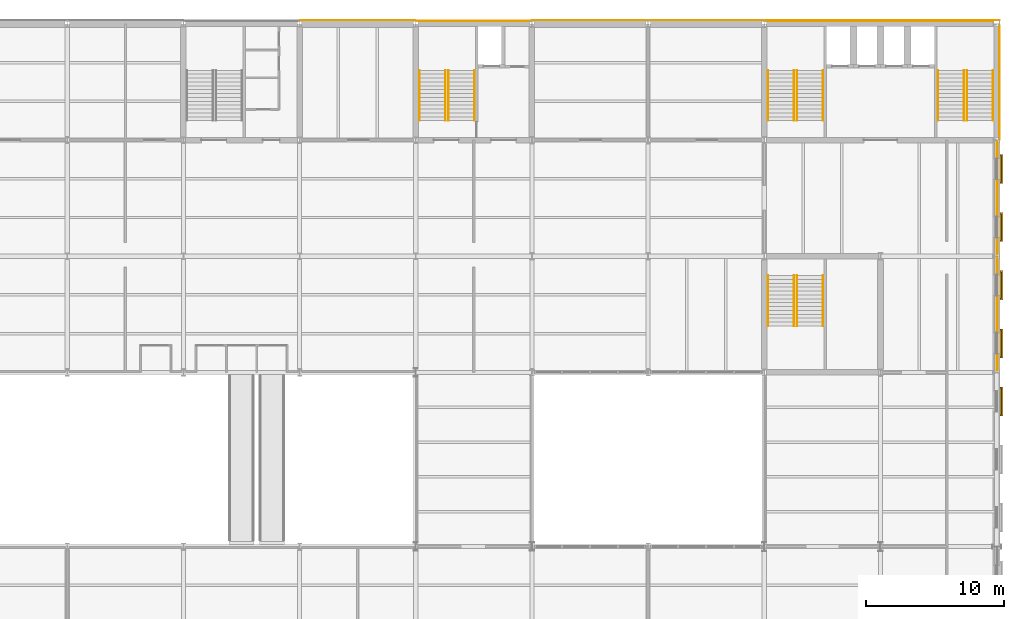
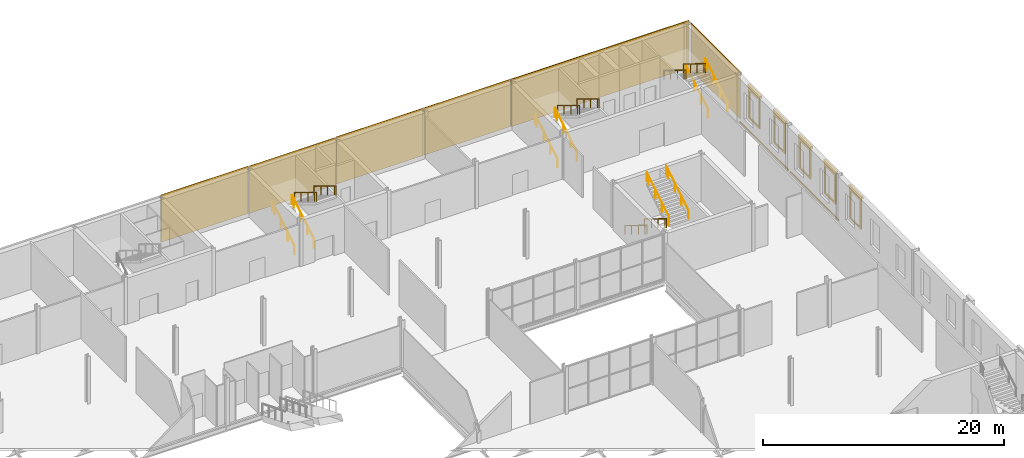
# One storey, part 50 of 52: 19 coverings, 16 railings.
"""IFC4 building model written with IfcOpenShell, lengths in metres."""

from ifc_helpers import new_model, si_unit, direction, frame, origin, origin_2d, place, context, subcontext, project, spatial, polyline, rectangle, circle, outline, extrude, material, layer, layer_set, type_object, element, save


model = new_model("IFC4")

# Units and contexts
model_context = context("Model", 3, precision=1e-05, world=origin(), true_north=direction((0.0, 1.0)))
body_context = subcontext(model_context, "Body", "Model", "MODEL_VIEW")
ifc_project = project(units=[si_unit("LENGTHUNIT", "METRE"), si_unit("AREAUNIT", "SQUARE_METRE"), si_unit("VOLUMEUNIT", "CUBIC_METRE"), si_unit("PLANEANGLEUNIT", "RADIAN"), si_unit("MASSUNIT", "GRAM", prefix="KILO")], contexts=[model_context])

# Site, building, storey
site_placement = place(None, origin())
site = spatial("IfcSite", under=ifc_project, at=site_placement, CompositionType="ELEMENT")
building_placement = place(site_placement, origin())
building = spatial("IfcBuilding", under=site, at=building_placement, Name="Galleria Vessillo Department Store", CompositionType="ELEMENT")
storey_placement = place(building_placement, frame((0.0, 0.0, 16.199951171875)))
storey = spatial("IfcBuildingStorey", under=building, at=storey_placement, Name="L03", CompositionType="ELEMENT", Elevation=16.199951171875)

# Coverings
ifc_material_1 = material(Name="Lime plaster (intonaco) ochre")
ifc_layer_1 = layer(ifc_material_1, 0.030029296875)
ifc_layer_set_1 = layer_set([ifc_layer_1], Name="Lime plaster (intonaco) ochre")
covering_type_1 = type_object("IfcCoveringType", Name="Lime plaster render 30 mm", PredefinedType="CLADDING", material=ifc_layer_set_1)
covering_1_placement = place(storey_placement, frame((71.39990234375, 63.264892578125, 0.0), z_axis=(0.0, 0.0, 1.0), x_axis=(1.0, 0.0, 0.0)))
element("IfcCovering", 1, at=covering_1_placement, inside=storey, type_object=covering_type_1, Name="Wall cladding S-PN-L03-06", PredefinedType="CLADDING", context=body_context, shape_type="SweptSolid", body=[
    extrude(rectangle(XDim=8.34033203125, YDim=0.030029296875, at=origin_2d()), origin(), (0.0, 0.0, 1.0), 4.800048828125),
])
covering_2_placement = place(storey_placement, frame((79.79833984375, 63.215087890625, 0.0), z_axis=(0.0, 0.0, 1.0), x_axis=(1.0, 0.0, 0.0)))
element("IfcCovering", 2, at=covering_2_placement, inside=storey, type_object=covering_type_1, Name="Wall cladding S-CW-PC-NE-PARTY-L03", PredefinedType="CLADDING", context=body_context, shape_type="SweptSolid", body=[
    extrude(rectangle(XDim=8.33642578125, YDim=0.030029296875, at=origin_2d()), origin(), (0.0, 0.0, 1.0), 4.800048828125),
])
covering_3_placement = place(storey_placement, frame((88.199951171875, 63.264892578125, 0.0), z_axis=(0.0, 0.0, 1.0), x_axis=(1.0, 0.0, 0.0)))
element("IfcCovering", 3, at=covering_3_placement, inside=storey, type_object=covering_type_1, Name="Wall cladding S-PN-L03-07", PredefinedType="CLADDING", context=body_context, shape_type="SweptSolid", body=[
    extrude(rectangle(XDim=8.332763671875, YDim=0.030029296875, at=origin_2d()), origin(), (0.0, 0.0, 1.0), 4.800048828125),
])
covering_4_placement = place(storey_placement, frame((96.60009765625, 63.264892578125, 0.0), z_axis=(0.0, 0.0, 1.0), x_axis=(1.0, 0.0, 0.0)))
element("IfcCovering", 4, at=covering_4_placement, inside=storey, type_object=covering_type_1, Name="Wall cladding S-PN-L03-08", PredefinedType="CLADDING", context=body_context, shape_type="SweptSolid", body=[
    extrude(rectangle(XDim=8.3330078125, YDim=0.030029296875, at=origin_2d()), origin(), (0.0, 0.0, 1.0), 4.800048828125),
])
covering_5_placement = place(storey_placement, frame((109.097412109375, 63.215087890625, 0.0), z_axis=(0.0, 0.0, 1.0), x_axis=(1.0, 0.0, 0.0)))
element("IfcCovering", 5, at=covering_5_placement, inside=storey, type_object=covering_type_1, Name="Wall cladding S-CW-TC-PARTY-L03", PredefinedType="CLADDING", context=body_context, shape_type="SweptSolid", body=[
    extrude(rectangle(XDim=16.527587890625, YDim=0.030029296875, at=origin_2d()), origin(), (0.0, 0.0, 1.0), 4.800048828125),
])
covering_6_placement = place(storey_placement, frame((109.29833984375, 63.264892578125, 0.0), z_axis=(0.0, 0.0, 1.0), x_axis=(1.0, 0.0, 0.0)))
element("IfcCovering", 6, at=covering_6_placement, inside=storey, type_object=covering_type_1, Name="Corner cladding L03 y=63 south/north face", PredefinedType="CLADDING", context=body_context, shape_type="SweptSolid", body=[
    extrude(rectangle(XDim=17.0634765625, YDim=0.030029296875, at=origin_2d()), origin(), (0.0, 0.0, 1.0), 4.800048828125),
])
ifc_material_2 = material(Name="Botticino limestone ashlar", Category="masonry")
ifc_layer_2 = layer(ifc_material_2, 0.14990234375)
ifc_layer_set_2 = layer_set([ifc_layer_2], Name="Botticino limestone ashlar")
covering_type_2 = type_object("IfcCoveringType", Name="Limestone slab-edge fascia 150 mm", PredefinedType="CLADDING", material=ifc_layer_set_2)
covering_7_placement = place(storey_placement, frame((117.630126953125, 42.0, -0.14990234375), z_axis=(0.0, 0.0, 1.0), x_axis=(1.0, 0.0, 0.0)))
element("IfcCovering", 7, at=covering_7_placement, inside=storey, type_object=covering_type_2, Name="Slab-edge fascia SE-N-L02-01", PredefinedType="CLADDING", context=body_context, shape_type="SweptSolid", body=[
    extrude(rectangle(XDim=0.06005859375, YDim=8.093994140625, at=origin_2d()), origin(), (0.0, 0.0, 1.0), 0.14990234375),
])
covering_8_placement = place(storey_placement, frame((117.630126953125, 50.39990234375, -0.14990234375), z_axis=(0.0, 0.0, 1.0), x_axis=(1.0, 0.0, 0.0)))
element("IfcCovering", 8, at=covering_8_placement, inside=storey, type_object=covering_type_2, Name="Slab-edge fascia SE-N-L02-02", PredefinedType="CLADDING", context=body_context, shape_type="SweptSolid", body=[
    extrude(rectangle(XDim=0.06005859375, YDim=8.09423828125, at=origin_2d()), origin(), (0.0, 0.0, 1.0), 0.14990234375),
])
ifc_material_3 = material(Name="Botticino limestone ashlar", Category="masonry")
ifc_layer_3 = layer(ifc_material_3, 0.030029296875)
ifc_layer_set_3 = layer_set([ifc_layer_3], Name="Botticino limestone ashlar")
covering_type_3 = type_object("IfcCoveringType", Name="Limestone wall cladding 30 mm", PredefinedType="CLADDING", material=ifc_layer_set_3)
covering_9_placement = place(storey_placement, frame((117.815185546875, 58.739990234375, 0.0), z_axis=(0.0, 0.0, 1.0), x_axis=(1.0, 0.0, 0.0)))
element("IfcCovering", 9, at=covering_9_placement, inside=storey, type_object=covering_type_3, Name="Wall cladding S-CW-TC-EAST-L03", PredefinedType="CLADDING", context=body_context, shape_type="SweptSolid", body=[
    extrude(rectangle(XDim=0.030029296875, YDim=8.212890625, at=origin_2d()), origin(), (0.0, 0.0, 1.0), 4.800048828125),
])
ifc_material_4 = material(Name="Botticino limestone ashlar", Category="masonry")
ifc_layer_4 = layer(ifc_material_4, 0.199951171875)
ifc_layer_set_4 = layer_set([ifc_layer_4], Name="Botticino limestone ashlar")
covering_type_4 = type_object("IfcCoveringType", Name="Limestone window hood 200 mm", PredefinedType="MOLDING", material=ifc_layer_set_4)
covering_10_placement = place(storey_placement, frame((117.85009765625, 0.0, 1.0), z_axis=(1.0, 0.0, 0.0), x_axis=(0.0, 1.0, 0.0)))
element("IfcCovering", 10, at=covering_10_placement, inside=storey, type_object=covering_type_4, Name="Window hood W034", PredefinedType="MOLDING", context=body_context, shape_type="SweptSolid", body=[
    extrude(outline(polyline([(34.64990234375, 2.97998046875), (36.75, 2.97998046875), (36.75, 3.199951171875), (34.64990234375, 3.199951171875), (34.64990234375, 2.97998046875)])), origin(), (0.0, 0.0, 1.0), 0.199951171875),
])
covering_11_placement = place(storey_placement, frame((117.85009765625, 0.0, 1.0), z_axis=(1.0, 0.0, 0.0), x_axis=(0.0, 1.0, 0.0)))
element("IfcCovering", 11, at=covering_11_placement, inside=storey, type_object=covering_type_4, Name="Window hood W035", PredefinedType="MOLDING", context=body_context, shape_type="SweptSolid", body=[
    extrude(outline(polyline([(38.849853515625, 2.97998046875), (40.949951171875, 2.97998046875), (40.949951171875, 3.199951171875), (38.849853515625, 3.199951171875), (38.849853515625, 2.97998046875)])), origin(), (0.0, 0.0, 1.0), 0.199951171875),
])
covering_12_placement = place(storey_placement, frame((117.85009765625, 0.0, 1.0), z_axis=(1.0, 0.0, 0.0), x_axis=(0.0, 1.0, 0.0)))
element("IfcCovering", 12, at=covering_12_placement, inside=storey, type_object=covering_type_4, Name="Window hood W036", PredefinedType="MOLDING", context=body_context, shape_type="SweptSolid", body=[
    extrude(outline(polyline([(43.050048828125, 2.97998046875), (45.150146484375, 2.97998046875), (45.150146484375, 3.199951171875), (43.050048828125, 3.199951171875), (43.050048828125, 2.97998046875)])), origin(), (0.0, 0.0, 1.0), 0.199951171875),
])
covering_13_placement = place(storey_placement, frame((117.85009765625, 0.0, 1.0), z_axis=(1.0, 0.0, 0.0), x_axis=(0.0, 1.0, 0.0)))
element("IfcCovering", 13, at=covering_13_placement, inside=storey, type_object=covering_type_4, Name="Window hood W037", PredefinedType="MOLDING", context=body_context, shape_type="SweptSolid", body=[
    extrude(outline(polyline([(47.25, 2.97998046875), (49.35009765625, 2.97998046875), (49.35009765625, 3.199951171875), (47.25, 3.199951171875), (47.25, 2.97998046875)])), origin(), (0.0, 0.0, 1.0), 0.199951171875),
])
covering_14_placement = place(storey_placement, frame((117.85009765625, 0.0, 1.0), z_axis=(1.0, 0.0, 0.0), x_axis=(0.0, 1.0, 0.0)))
element("IfcCovering", 14, at=covering_14_placement, inside=storey, type_object=covering_type_4, Name="Window hood W038", PredefinedType="MOLDING", context=body_context, shape_type="SweptSolid", body=[
    extrude(outline(polyline([(51.449951171875, 2.97998046875), (53.550048828125, 2.97998046875), (53.550048828125, 3.199951171875), (51.449951171875, 3.199951171875), (51.449951171875, 2.97998046875)])), origin(), (0.0, 0.0, 1.0), 0.199951171875),
])
ifc_material_5 = material(Name="Botticino limestone ashlar", Category="masonry")
ifc_layer_5 = layer(ifc_material_5, 0.10009765625)
ifc_layer_set_5 = layer_set([ifc_layer_5], Name="Botticino limestone ashlar")
covering_type_5 = type_object("IfcCoveringType", Name="Limestone window surround 100 mm", PredefinedType="CLADDING", material=ifc_layer_set_5)
covering_15_placement = place(storey_placement, frame((117.85009765625, 0.0, 1.0), z_axis=(1.0, 0.0, 0.0), x_axis=(0.0, 1.0, 0.0)))
element("IfcCovering", 15, at=covering_15_placement, inside=storey, type_object=covering_type_5, Name="Window surround W034", PredefinedType="CLADDING", context=body_context, shape_type="SweptSolid", body=[
    extrude(outline(polyline([(34.72998046875, -0.139892578125), (36.669921875, -0.139892578125), (36.669921875, 2.97998046875), (34.72998046875, 2.97998046875), (34.72998046875, -0.139892578125)]), holes=[polyline([(34.949951171875, 0.0), (36.449951171875, 0.0), (36.449951171875, 2.699951171875), (34.949951171875, 2.699951171875), (34.949951171875, 0.0)])]), origin(), (0.0, 0.0, 1.0), 0.10009765625),
])
covering_16_placement = place(storey_placement, frame((117.85009765625, 0.0, 1.0), z_axis=(1.0, 0.0, 0.0), x_axis=(0.0, 1.0, 0.0)))
element("IfcCovering", 16, at=covering_16_placement, inside=storey, type_object=covering_type_5, Name="Window surround W035", PredefinedType="CLADDING", context=body_context, shape_type="SweptSolid", body=[
    extrude(outline(polyline([(38.929931640625, -0.139892578125), (40.869873046875, -0.139892578125), (40.869873046875, 2.97998046875), (38.929931640625, 2.97998046875), (38.929931640625, -0.139892578125)]), holes=[polyline([(39.14990234375, 0.0), (40.64990234375, 0.0), (40.64990234375, 2.699951171875), (39.14990234375, 2.699951171875), (39.14990234375, 0.0)])]), origin(), (0.0, 0.0, 1.0), 0.10009765625),
])
covering_17_placement = place(storey_placement, frame((117.85009765625, 0.0, 1.0), z_axis=(1.0, 0.0, 0.0), x_axis=(0.0, 1.0, 0.0)))
element("IfcCovering", 17, at=covering_17_placement, inside=storey, type_object=covering_type_5, Name="Window surround W036", PredefinedType="CLADDING", context=body_context, shape_type="SweptSolid", body=[
    extrude(outline(polyline([(43.130126953125, -0.139892578125), (45.070068359375, -0.139892578125), (45.070068359375, 2.97998046875), (43.130126953125, 2.97998046875), (43.130126953125, -0.139892578125)]), holes=[polyline([(43.35009765625, 0.0), (44.85009765625, 0.0), (44.85009765625, 2.699951171875), (43.35009765625, 2.699951171875), (43.35009765625, 0.0)])]), origin(), (0.0, 0.0, 1.0), 0.10009765625),
])
covering_18_placement = place(storey_placement, frame((117.85009765625, 0.0, 1.0), z_axis=(1.0, 0.0, 0.0), x_axis=(0.0, 1.0, 0.0)))
element("IfcCovering", 18, at=covering_18_placement, inside=storey, type_object=covering_type_5, Name="Window surround W037", PredefinedType="CLADDING", context=body_context, shape_type="SweptSolid", body=[
    extrude(outline(polyline([(47.330078125, -0.139892578125), (49.27001953125, -0.139892578125), (49.27001953125, 2.97998046875), (47.330078125, 2.97998046875), (47.330078125, -0.139892578125)]), holes=[polyline([(47.550048828125, 0.0), (49.050048828125, 0.0), (49.050048828125, 2.699951171875), (47.550048828125, 2.699951171875), (47.550048828125, 0.0)])]), origin(), (0.0, 0.0, 1.0), 0.10009765625),
])
covering_19_placement = place(storey_placement, frame((117.85009765625, 0.0, 1.0), z_axis=(1.0, 0.0, 0.0), x_axis=(0.0, 1.0, 0.0)))
element("IfcCovering", 19, at=covering_19_placement, inside=storey, type_object=covering_type_5, Name="Window surround W038", PredefinedType="CLADDING", context=body_context, shape_type="SweptSolid", body=[
    extrude(outline(polyline([(51.530029296875, -0.139892578125), (53.469970703125, -0.139892578125), (53.469970703125, 2.97998046875), (51.530029296875, 2.97998046875), (51.530029296875, -0.139892578125)]), holes=[polyline([(51.75, 0.0), (53.25, 0.0), (53.25, 2.699951171875), (51.75, 2.699951171875), (51.75, 0.0)])]), origin(), (0.0, 0.0, 1.0), 0.10009765625),
])

# Railings
ifc_material_6 = material(Name="Stainless steel tube", Category="steel")
railing_type = type_object("IfcRailingType", Name="Stair handrail steel tube 48 mm", PredefinedType="HANDRAIL", material=ifc_material_6)
for number, where, name in (
    (20, (75.860107421875, 56.0, 0.17138671875), "Handrail ST6 L03 flight 1A"),
    (21, (77.739990234375, 56.0, 0.17138671875), "Handrail ST6 L03 flight 1B"),
):
    element("IfcRailing", number, at=place(storey_placement, frame(where)), inside=storey, type_object=railing_type, Name=name, PredefinedType="HANDRAIL", context=body_context, shape_type="SweptSolid", body=[
        extrude(circle(Radius=0.02392578125, at=origin_2d()), frame((0.0, 0.0, 0.89599609375), z_axis=(0.0, 0.852849614702, 0.52215661894), x_axis=(-1.0, 0.0, 0.0)), (0.0, 0.0, 1.0), 1.3134765625),
        extrude(circle(Radius=0.02392578125, at=origin_2d()), frame((0.0, 1.1201171875, 1.58154296875), z_axis=(0.0, 0.852798921012, 0.522239409008), x_axis=(-1.0, 0.0, 0.0)), (0.0, 0.0, 1.0), 1.313232421875),
        extrude(circle(Radius=0.02392578125, at=origin_2d()), frame((0.0, 2.239990234375, 2.267578125), z_axis=(0.0, 0.852932391421, 0.522021393877), x_axis=(-1.0, 0.0, 0.0)), (0.0, 0.0, 1.0), 1.313232421875),
        extrude(circle(Radius=0.02392578125, at=origin_2d()), frame((0.0, 3.360107421875, 2.953125), z_axis=(0.0, 0.852729557261, 0.522352660731), x_axis=(-1.0, 0.0, 0.0)), (0.0, 0.0, 1.0), 0.328125),
        extrude(circle(Radius=0.02099609375, at=origin_2d()), origin(), (0.0, 0.0, 1.0), 0.871826171875),
        extrude(circle(Radius=0.02099609375, at=origin_2d()), frame((0.0, 1.1201171875, 0.685791015625)), (0.0, 0.0, 1.0), 0.871826171875),
        extrude(circle(Radius=0.02099609375, at=origin_2d()), frame((0.0, 2.239990234375, 1.37158203125)), (0.0, 0.0, 1.0), 0.871826171875),
        extrude(circle(Radius=0.02099609375, at=origin_2d()), frame((0.0, 3.360107421875, 2.05712890625)), (0.0, 0.0, 1.0), 0.871826171875),
        extrude(circle(Radius=0.02099609375, at=origin_2d()), frame((0.0, 3.639892578125, 2.228515625)), (0.0, 0.0, 1.0), 0.871826171875),
    ])
for number, where, name in (
    (22, (79.83984375, 59.639892578125, 2.571533203125), "Handrail ST6 L03 flight 2A"),
    (23, (77.9599609375, 59.639892578125, 2.571533203125), "Handrail ST6 L03 flight 2B"),
):
    element("IfcRailing", number, at=place(storey_placement, frame(where)), inside=storey, type_object=railing_type, Name=name, PredefinedType="HANDRAIL", context=body_context, shape_type="SweptSolid", body=[
        extrude(circle(Radius=0.02392578125, at=origin_2d()), frame((0.0, 0.0, 0.89599609375), z_axis=(0.0, -0.852849614702, 0.52215661894), x_axis=(1.0, 0.0, 0.0)), (0.0, 0.0, 1.0), 1.3134765625),
        extrude(circle(Radius=0.02392578125, at=origin_2d()), frame((0.0, -1.1201171875, 1.58154296875), z_axis=(0.0, -0.852798921012, 0.522239409008), x_axis=(1.0, 0.0, 0.0)), (0.0, 0.0, 1.0), 1.313232421875),
        extrude(circle(Radius=0.02392578125, at=origin_2d()), frame((0.0, -2.239990234375, 2.267578125), z_axis=(0.0, -0.852932391421, 0.522021393877), x_axis=(1.0, 0.0, 0.0)), (0.0, 0.0, 1.0), 1.313232421875),
        extrude(circle(Radius=0.02392578125, at=origin_2d()), frame((0.0, -3.360107421875, 2.953125), z_axis=(0.0, -0.852729557261, 0.522352660731), x_axis=(1.0, 0.0, 0.0)), (0.0, 0.0, 1.0), 0.328125),
        extrude(circle(Radius=0.02099609375, at=origin_2d()), origin(), (0.0, 0.0, 1.0), 0.871826171875),
        extrude(circle(Radius=0.02099609375, at=origin_2d()), frame((0.0, -1.1201171875, 0.685791015625)), (0.0, 0.0, 1.0), 0.871826171875),
        extrude(circle(Radius=0.02099609375, at=origin_2d()), frame((0.0, -2.239990234375, 1.37158203125)), (0.0, 0.0, 1.0), 0.871826171875),
        extrude(circle(Radius=0.02099609375, at=origin_2d()), frame((0.0, -3.360107421875, 2.05712890625)), (0.0, 0.0, 1.0), 0.871826171875),
        extrude(circle(Radius=0.02099609375, at=origin_2d()), frame((0.0, -3.639892578125, 2.228515625)), (0.0, 0.0, 1.0), 0.871826171875),
    ])
for number, where, name in (
    (24, (101.06005859375, 56.0, 0.17138671875), "Handrail ST8 L03 flight 1A"),
    (25, (102.93994140625, 56.0, 0.17138671875), "Handrail ST8 L03 flight 1B"),
):
    element("IfcRailing", number, at=place(storey_placement, frame(where)), inside=storey, type_object=railing_type, Name=name, PredefinedType="HANDRAIL", context=body_context, shape_type="SweptSolid", body=[
        extrude(circle(Radius=0.02392578125, at=origin_2d()), frame((0.0, 0.0, 0.89599609375), z_axis=(0.0, 0.852849614702, 0.52215661894), x_axis=(-1.0, 0.0, 0.0)), (0.0, 0.0, 1.0), 1.3134765625),
        extrude(circle(Radius=0.02392578125, at=origin_2d()), frame((0.0, 1.1201171875, 1.58154296875), z_axis=(0.0, 0.852798921012, 0.522239409008), x_axis=(-1.0, 0.0, 0.0)), (0.0, 0.0, 1.0), 1.313232421875),
        extrude(circle(Radius=0.02392578125, at=origin_2d()), frame((0.0, 2.239990234375, 2.267578125), z_axis=(0.0, 0.852932391421, 0.522021393877), x_axis=(-1.0, 0.0, 0.0)), (0.0, 0.0, 1.0), 1.313232421875),
        extrude(circle(Radius=0.02392578125, at=origin_2d()), frame((0.0, 3.360107421875, 2.953125), z_axis=(0.0, 0.852729557261, 0.522352660731), x_axis=(-1.0, 0.0, 0.0)), (0.0, 0.0, 1.0), 0.328125),
        extrude(circle(Radius=0.02099609375, at=origin_2d()), origin(), (0.0, 0.0, 1.0), 0.871826171875),
        extrude(circle(Radius=0.02099609375, at=origin_2d()), frame((0.0, 1.1201171875, 0.685791015625)), (0.0, 0.0, 1.0), 0.871826171875),
        extrude(circle(Radius=0.02099609375, at=origin_2d()), frame((0.0, 2.239990234375, 1.37158203125)), (0.0, 0.0, 1.0), 0.871826171875),
        extrude(circle(Radius=0.02099609375, at=origin_2d()), frame((0.0, 3.360107421875, 2.05712890625)), (0.0, 0.0, 1.0), 0.871826171875),
        extrude(circle(Radius=0.02099609375, at=origin_2d()), frame((0.0, 3.639892578125, 2.228515625)), (0.0, 0.0, 1.0), 0.871826171875),
    ])
for number, where, name in (
    (26, (105.0400390625, 59.639892578125, 2.571533203125), "Handrail ST8 L03 flight 2A"),
    (27, (103.16015625, 59.639892578125, 2.571533203125), "Handrail ST8 L03 flight 2B"),
):
    element("IfcRailing", number, at=place(storey_placement, frame(where)), inside=storey, type_object=railing_type, Name=name, PredefinedType="HANDRAIL", context=body_context, shape_type="SweptSolid", body=[
        extrude(circle(Radius=0.02392578125, at=origin_2d()), frame((0.0, 0.0, 0.89599609375), z_axis=(0.0, -0.852849614702, 0.52215661894), x_axis=(1.0, 0.0, 0.0)), (0.0, 0.0, 1.0), 1.3134765625),
        extrude(circle(Radius=0.02392578125, at=origin_2d()), frame((0.0, -1.1201171875, 1.58154296875), z_axis=(0.0, -0.852798921012, 0.522239409008), x_axis=(1.0, 0.0, 0.0)), (0.0, 0.0, 1.0), 1.313232421875),
        extrude(circle(Radius=0.02392578125, at=origin_2d()), frame((0.0, -2.239990234375, 2.267578125), z_axis=(0.0, -0.852932391421, 0.522021393877), x_axis=(1.0, 0.0, 0.0)), (0.0, 0.0, 1.0), 1.313232421875),
        extrude(circle(Radius=0.02392578125, at=origin_2d()), frame((0.0, -3.360107421875, 2.953125), z_axis=(0.0, -0.852729557261, 0.522352660731), x_axis=(1.0, 0.0, 0.0)), (0.0, 0.0, 1.0), 0.328125),
        extrude(circle(Radius=0.02099609375, at=origin_2d()), origin(), (0.0, 0.0, 1.0), 0.871826171875),
        extrude(circle(Radius=0.02099609375, at=origin_2d()), frame((0.0, -1.1201171875, 0.685791015625)), (0.0, 0.0, 1.0), 0.871826171875),
        extrude(circle(Radius=0.02099609375, at=origin_2d()), frame((0.0, -2.239990234375, 1.37158203125)), (0.0, 0.0, 1.0), 0.871826171875),
        extrude(circle(Radius=0.02099609375, at=origin_2d()), frame((0.0, -3.360107421875, 2.05712890625)), (0.0, 0.0, 1.0), 0.871826171875),
        extrude(circle(Radius=0.02099609375, at=origin_2d()), frame((0.0, -3.639892578125, 2.228515625)), (0.0, 0.0, 1.0), 0.871826171875),
    ])
for number, where, name in (
    (28, (115.4599609375, 56.0, 0.17138671875), "Handrail ST9 L03 flight 1A"),
    (29, (117.33984375, 56.0, 0.17138671875), "Handrail ST9 L03 flight 1B"),
):
    element("IfcRailing", number, at=place(storey_placement, frame(where)), inside=storey, type_object=railing_type, Name=name, PredefinedType="HANDRAIL", context=body_context, shape_type="SweptSolid", body=[
        extrude(circle(Radius=0.02392578125, at=origin_2d()), frame((0.0, 0.0, 0.89599609375), z_axis=(0.0, 0.852849614702, 0.52215661894), x_axis=(-1.0, 0.0, 0.0)), (0.0, 0.0, 1.0), 1.3134765625),
        extrude(circle(Radius=0.02392578125, at=origin_2d()), frame((0.0, 1.1201171875, 1.58154296875), z_axis=(0.0, 0.852798921012, 0.522239409008), x_axis=(-1.0, 0.0, 0.0)), (0.0, 0.0, 1.0), 1.313232421875),
        extrude(circle(Radius=0.02392578125, at=origin_2d()), frame((0.0, 2.239990234375, 2.267578125), z_axis=(0.0, 0.852932391421, 0.522021393877), x_axis=(-1.0, 0.0, 0.0)), (0.0, 0.0, 1.0), 1.313232421875),
        extrude(circle(Radius=0.02392578125, at=origin_2d()), frame((0.0, 3.360107421875, 2.953125), z_axis=(0.0, 0.852729557261, 0.522352660731), x_axis=(-1.0, 0.0, 0.0)), (0.0, 0.0, 1.0), 0.328125),
        extrude(circle(Radius=0.02099609375, at=origin_2d()), origin(), (0.0, 0.0, 1.0), 0.871826171875),
        extrude(circle(Radius=0.02099609375, at=origin_2d()), frame((0.0, 1.1201171875, 0.685791015625)), (0.0, 0.0, 1.0), 0.871826171875),
        extrude(circle(Radius=0.02099609375, at=origin_2d()), frame((0.0, 2.239990234375, 1.37158203125)), (0.0, 0.0, 1.0), 0.871826171875),
        extrude(circle(Radius=0.02099609375, at=origin_2d()), frame((0.0, 3.360107421875, 2.05712890625)), (0.0, 0.0, 1.0), 0.871826171875),
        extrude(circle(Radius=0.02099609375, at=origin_2d()), frame((0.0, 3.639892578125, 2.228515625)), (0.0, 0.0, 1.0), 0.871826171875),
    ])
for number, where, name in (
    (30, (115.239990234375, 59.639892578125, 2.571533203125), "Handrail ST9 L03 flight 2A"),
    (31, (113.360107421875, 59.639892578125, 2.571533203125), "Handrail ST9 L03 flight 2B"),
    (32, (102.93994140625, 44.800048828125, 0.17138671875), "Handrail ST12 L03 flight 1A"),
    (33, (101.06005859375, 44.800048828125, 0.17138671875), "Handrail ST12 L03 flight 1B"),
):
    element("IfcRailing", number, at=place(storey_placement, frame(where)), inside=storey, type_object=railing_type, Name=name, PredefinedType="HANDRAIL", context=body_context, shape_type="SweptSolid", body=[
        extrude(circle(Radius=0.02392578125, at=origin_2d()), frame((0.0, 0.0, 0.89599609375), z_axis=(0.0, -0.852849614702, 0.52215661894), x_axis=(1.0, 0.0, 0.0)), (0.0, 0.0, 1.0), 1.3134765625),
        extrude(circle(Radius=0.02392578125, at=origin_2d()), frame((0.0, -1.1201171875, 1.58154296875), z_axis=(0.0, -0.852798921012, 0.522239409008), x_axis=(1.0, 0.0, 0.0)), (0.0, 0.0, 1.0), 1.313232421875),
        extrude(circle(Radius=0.02392578125, at=origin_2d()), frame((0.0, -2.239990234375, 2.267578125), z_axis=(0.0, -0.852932391421, 0.522021393877), x_axis=(1.0, 0.0, 0.0)), (0.0, 0.0, 1.0), 1.313232421875),
        extrude(circle(Radius=0.02392578125, at=origin_2d()), frame((0.0, -3.360107421875, 2.953125), z_axis=(0.0, -0.852729557261, 0.522352660731), x_axis=(1.0, 0.0, 0.0)), (0.0, 0.0, 1.0), 0.328125),
        extrude(circle(Radius=0.02099609375, at=origin_2d()), origin(), (0.0, 0.0, 1.0), 0.871826171875),
        extrude(circle(Radius=0.02099609375, at=origin_2d()), frame((0.0, -1.1201171875, 0.685791015625)), (0.0, 0.0, 1.0), 0.871826171875),
        extrude(circle(Radius=0.02099609375, at=origin_2d()), frame((0.0, -2.239990234375, 1.37158203125)), (0.0, 0.0, 1.0), 0.871826171875),
        extrude(circle(Radius=0.02099609375, at=origin_2d()), frame((0.0, -3.360107421875, 2.05712890625)), (0.0, 0.0, 1.0), 0.871826171875),
        extrude(circle(Radius=0.02099609375, at=origin_2d()), frame((0.0, -3.639892578125, 2.228515625)), (0.0, 0.0, 1.0), 0.871826171875),
    ])
for number, where, name in (
    (34, (103.16015625, 41.159912109375, 2.571533203125), "Handrail ST12 L03 flight 2A"),
    (35, (105.0400390625, 41.159912109375, 2.571533203125), "Handrail ST12 L03 flight 2B"),
):
    element("IfcRailing", number, at=place(storey_placement, frame(where)), inside=storey, type_object=railing_type, Name=name, PredefinedType="HANDRAIL", context=body_context, shape_type="SweptSolid", body=[
        extrude(circle(Radius=0.02392578125, at=origin_2d()), frame((0.0, 0.0, 0.89599609375), z_axis=(0.0, 0.852849614702, 0.52215661894), x_axis=(-1.0, 0.0, 0.0)), (0.0, 0.0, 1.0), 1.3134765625),
        extrude(circle(Radius=0.02392578125, at=origin_2d()), frame((0.0, 1.1201171875, 1.58154296875), z_axis=(0.0, 0.852798921012, 0.522239409008), x_axis=(-1.0, 0.0, 0.0)), (0.0, 0.0, 1.0), 1.313232421875),
        extrude(circle(Radius=0.02392578125, at=origin_2d()), frame((0.0, 2.239990234375, 2.267578125), z_axis=(0.0, 0.852932391421, 0.522021393877), x_axis=(-1.0, 0.0, 0.0)), (0.0, 0.0, 1.0), 1.313232421875),
        extrude(circle(Radius=0.02392578125, at=origin_2d()), frame((0.0, 3.360107421875, 2.953125), z_axis=(0.0, 0.852729557261, 0.522352660731), x_axis=(-1.0, 0.0, 0.0)), (0.0, 0.0, 1.0), 0.328125),
        extrude(circle(Radius=0.02099609375, at=origin_2d()), origin(), (0.0, 0.0, 1.0), 0.871826171875),
        extrude(circle(Radius=0.02099609375, at=origin_2d()), frame((0.0, 1.1201171875, 0.685791015625)), (0.0, 0.0, 1.0), 0.871826171875),
        extrude(circle(Radius=0.02099609375, at=origin_2d()), frame((0.0, 2.239990234375, 1.37158203125)), (0.0, 0.0, 1.0), 0.871826171875),
        extrude(circle(Radius=0.02099609375, at=origin_2d()), frame((0.0, 3.360107421875, 2.05712890625)), (0.0, 0.0, 1.0), 0.871826171875),
        extrude(circle(Radius=0.02099609375, at=origin_2d()), frame((0.0, 3.639892578125, 2.228515625)), (0.0, 0.0, 1.0), 0.871826171875),
    ])

save(model, "model.ifc")
